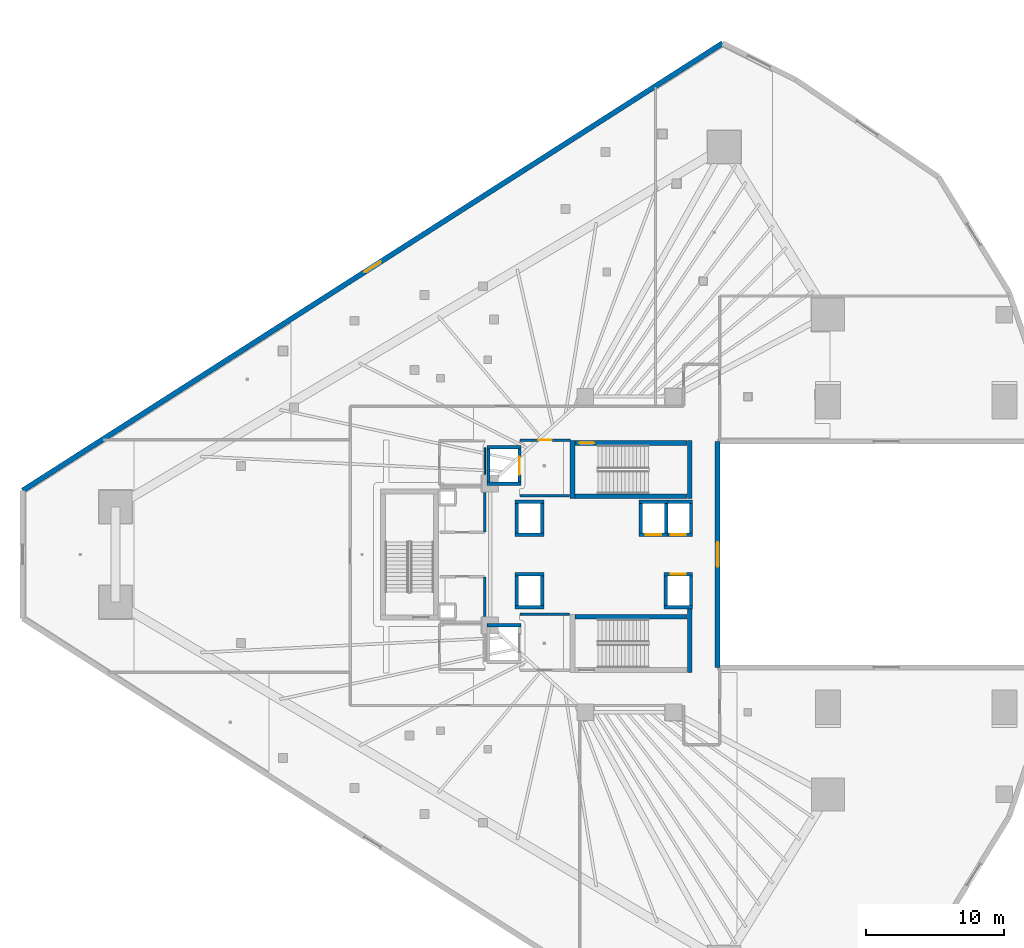
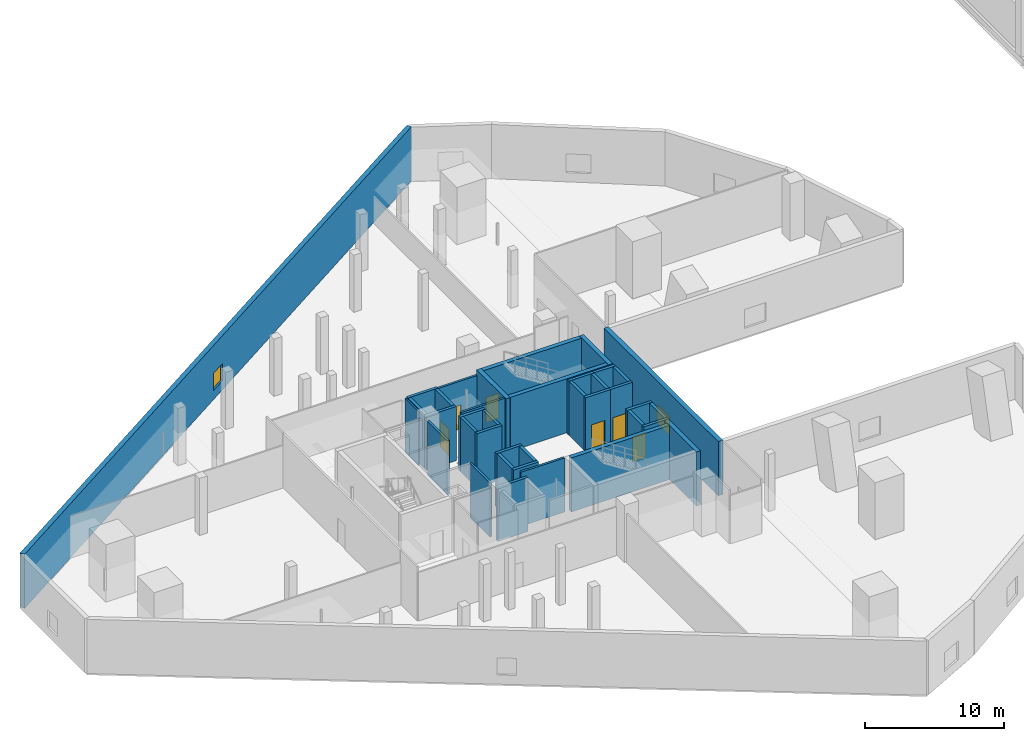
# One storey, part 28 of 47: 38 walls, 6 doors, 2 windows, 8 openings.
"""IFC4 building model written with IfcOpenShell, lengths in metres."""

from ifc_helpers import new_model, si_unit, direction, frame, frame_2d, origin, place, context, subcontext, project, spatial, rectangle, extrude, material, layer, layer_set, type_object, element, fill, save


model = new_model("IFC4")

# Units and contexts
model_context = context("Model", 3, precision=1e-05, world=origin(), true_north=direction((0.0, 1.0)))
body_context = subcontext(model_context, "Body", "Model", "MODEL_VIEW")
ifc_project = project(units=[si_unit("LENGTHUNIT", "METRE"), si_unit("AREAUNIT", "SQUARE_METRE"), si_unit("VOLUMEUNIT", "CUBIC_METRE"), si_unit("PLANEANGLEUNIT", "RADIAN"), si_unit("MASSUNIT", "GRAM", prefix="KILO")], contexts=[model_context])

# Site, building, storey
site_placement = place(None, origin())
site = spatial("IfcSite", under=ifc_project, at=site_placement, CompositionType="ELEMENT")
building_placement = place(site_placement, origin())
building = spatial("IfcBuilding", under=site, at=building_placement, Name="Qorvath Tower", CompositionType="ELEMENT")
storey_placement = place(building_placement, frame((0.0, 0.0, 12.0)))
storey = spatial("IfcBuildingStorey", under=building, at=storey_placement, Name="L02", CompositionType="ELEMENT", Elevation=12.0)

# Wall
ifc_material_1 = material(Name="Gypsum shaftliner on steel studs", Category="steel")
ifc_layer_1 = layer(ifc_material_1, 0.179931640625)
ifc_layer_set_1 = layer_set([ifc_layer_1], Name="FW-LOBBY")
wall_type_1 = type_object("IfcWallType", Name="FW-LOBBY", PredefinedType="PARTITIONING", material=ifc_layer_set_1)
wall_1_placement = place(storey_placement, frame((-28.35498046875, 4.25, 0.0), z_axis=(0.0, 0.0, 1.0), x_axis=(1.0, 0.0, 0.0)))
element("IfcWall", 1, at=wall_1_placement, inside=storey, type_object=wall_type_1, Name="Interior Partition IW-T1-L02-001", PredefinedType="PARTITIONING", context=body_context, shape_type="SweptSolid", body=[
    extrude(rectangle(XDim=3.6220703125, YDim=0.179931640625, at=frame_2d((1.81103515625, 0.0))), origin(), (0.0, 0.0, 1.0), 4.739990234375),
])

# Wall, opening, door
wall_2_placement = place(storey_placement, frame((-24.68408203125, 8.300048828125, 0.0), z_axis=(0.0, 0.0, 1.0), x_axis=(-1.0, 0.0, 0.0)))
wall_2 = element("IfcWall", 2, at=wall_2_placement, inside=storey, type_object=wall_type_1, Name="Interior Partition IW-T1-L02-002", PredefinedType="PARTITIONING", context=body_context, shape_type="SweptSolid", body=[
    extrude(rectangle(XDim=3.6708984375, YDim=0.179931640625, at=frame_2d((1.83544921875, 0.0))), origin(), (0.0, 0.0, 1.0), 4.2529296875),
])
opening_1_placement = place(wall_2_placement, frame((1.33544921875, 0.0, 0.0)))
opening_1 = element("IfcOpeningElement", 3, at=opening_1_placement, cuts=wall_2, Name="Opening D-T1-L02-11", PredefinedType="OPENING", context=body_context, shape_type="SweptSolid", body=[
    extrude(rectangle(XDim=1.0, YDim=2.14990234375, at=frame_2d((0.5, 1.074951171875))), frame((0.0, 0.10009765625, 0.0), z_axis=(0.0, -1.0, 0.0), x_axis=(1.0, 0.0, 0.0)), (0.0, 0.0, 1.0), 0.199951171875),
])
ifc_material_2 = material(Name="Painted galvanised hollow metal", Category="steel")
door_type_1 = type_object("IfcDoorType", Name="FD-60", OperationType="NOTDEFINED", PredefinedType="DOOR", material=ifc_material_2)
door_1_placement = place(opening_1_placement, origin())
door_1 = element("IfcDoor", 4, at=door_1_placement, inside=storey, type_object=door_type_1, Name="Lobby Fire Service Elevator North Door D-T1-L02-11", OperationType="SINGLE_SWING_LEFT", OverallHeight=2.14990234375, OverallWidth=1.0, PredefinedType="DOOR", context=body_context, shape_type="SweptSolid", body=[
    extrude(rectangle(XDim=1.0, YDim=2.14990234375, at=frame_2d((0.5, 1.074951171875))), frame((0.0, 0.02490234375, 0.0), z_axis=(0.0, -1.0, 0.0), x_axis=(1.0, 0.0, 0.0)), (0.0, 0.0, 1.0), 0.050048828125),
])
fill(opening_1, door_1)

# Walls
wall_3_placement = place(storey_placement, frame((-24.73291015625, -4.35009765625, 0.0), z_axis=(0.0, 0.0, 1.0), x_axis=(-1.0, 0.0, 0.0)))
element("IfcWall", 5, at=wall_3_placement, inside=storey, type_object=wall_type_1, Name="Interior Partition IW-T1-L02-004", PredefinedType="PARTITIONING", context=body_context, shape_type="SweptSolid", body=[
    extrude(rectangle(XDim=3.6220703125, YDim=0.179931640625, at=frame_2d((1.81103515625, 0.0))), origin(), (0.0, 0.0, 1.0), 4.739990234375),
])
for number, where, z_axis, x_axis, name in (
    (6, (-30.8798828125, 1.625, 0.0), (0.0, 0.0, 1.0), (0.0, 1.0, 0.0), "Interior Partition IW-T1-L02-014"),
    (7, (-30.8798828125, -4.485107421875, 0.0), (0.0, 0.0, 1.0), (0.0, 1.0, 0.0), "Interior Partition IW-T1-L02-017"),
):
    element("IfcWall", number, at=place(storey_placement, frame(where, z_axis=z_axis, x_axis=x_axis)), inside=storey, type_object=wall_type_1, Name=name, PredefinedType="PARTITIONING", context=body_context, shape_type="SweptSolid", body=[
        extrude(rectangle(XDim=2.860107421875, YDim=0.179931640625, at=frame_2d((1.43017578125, 0.0))), origin(), (0.0, 0.0, 1.0), 4.739990234375),
    ])
ifc_material_3 = material(Name="Moisture-resistant cement board on metal studs", Category="gypsum")
ifc_layer_2 = layer(ifc_material_3, 0.110107421875)
ifc_layer_set_2 = layer_set([ifc_layer_2], Name="IW-WC-110")
wall_type_2 = type_object("IfcWallType", Name="IW-WC-110", PredefinedType="PARTITIONING", material=ifc_layer_set_2)
wall_4_placement = place(storey_placement, frame((-30.8798828125, 5.81494140625, 0.0), z_axis=(0.0, 0.0, 1.0), x_axis=(0.0, 1.0, 0.0)))
element("IfcWall", 8, at=wall_4_placement, inside=storey, type_object=wall_type_2, Name="Interior Partition IW-T1-L02-007", PredefinedType="PARTITIONING", context=body_context, shape_type="SweptSolid", body=[
    extrude(rectangle(XDim=1.927978515625, YDim=0.110107421875, at=frame_2d((0.9638671875, 0.0))), origin(), (0.0, 0.0, 1.0), 4.739990234375),
])
ifc_material_4 = material(Name="Concrete C60/75", Category="concrete")
ifc_layer_3 = layer(ifc_material_4, 0.260009765625)
ifc_layer_set_3 = layer_set([ifc_layer_3], Name="SW-SHAFT")
wall_type_3 = type_object("IfcWallType", Name="SW-SHAFT", PredefinedType="SHEAR", material=ifc_layer_set_3)
for number, where, z_axis, x_axis, name in (
    (9, (-28.260009765625, 5.1298828125, 0.0), (0.0, 0.0, 1.0), (-1.0, 0.0, 0.0), "Hoistway Wall FSAE-1 L02 S"),
    (10, (-30.739990234375, 7.77001953125, 0.0), (0.0, 0.0, 1.0), (1.0, 0.0, 0.0), "Hoistway Wall FSAE-1 L02 N"),
):
    element("IfcWall", number, at=place(storey_placement, frame(where, z_axis=z_axis, x_axis=x_axis)), inside=storey, type_object=wall_type_3, Name=name, PredefinedType="SHEAR", context=body_context, shape_type="SweptSolid", body=[
        extrude(rectangle(XDim=2.47998046875, YDim=0.239990234375, at=frame_2d((1.239990234375, 0.0))), origin(), (0.0, 0.0, 1.0), 4.739990234375),
    ])
wall_5_placement = place(storey_placement, frame((-30.6201171875, 5.261962890625, 0.0), z_axis=(0.0, 0.0, 1.0), x_axis=(0.0, 1.0, 0.0)))
element("IfcWall", 11, at=wall_5_placement, inside=storey, type_object=wall_type_3, Name="Hoistway Wall FSAE-1 L02 W", PredefinedType="SHEAR", context=body_context, shape_type="SweptSolid", body=[
    extrude(rectangle(XDim=2.3759765625, YDim=0.239990234375, at=frame_2d((1.18798828125, 0.0))), origin(), (0.0, 0.0, 1.0), 4.739990234375),
])

# Wall, opening, door
wall_6_placement = place(storey_placement, frame((-28.3798828125, 7.637939453125, 0.0), z_axis=(0.0, 0.0, 1.0), x_axis=(0.0, -1.0, 0.0)))
wall_6 = element("IfcWall", 12, at=wall_6_placement, inside=storey, type_object=wall_type_3, Name="Hoistway Wall FSAE-1 L02 E", PredefinedType="SHEAR", context=body_context, shape_type="SweptSolid", body=[
    extrude(rectangle(XDim=2.3759765625, YDim=0.239990234375, at=frame_2d((1.18798828125, 0.0))), origin(), (0.0, 0.0, 1.0), 4.739990234375),
])
opening_2_placement = place(wall_6_placement, frame((0.537841796875, 0.0, 0.0)))
opening_2 = element("IfcOpeningElement", 13, at=opening_2_placement, cuts=wall_6, Name="Opening LD-FSAE-1-L02", PredefinedType="OPENING", context=body_context, shape_type="SweptSolid", body=[
    extrude(rectangle(XDim=1.300048828125, YDim=2.300048828125, at=frame_2d((0.64990234375, 1.14990234375))), frame((0.0, 0.1298828125, 0.0), z_axis=(0.0, -1.0, 0.0), x_axis=(1.0, 0.0, 0.0)), (0.0, 0.0, 1.0), 0.260009765625),
])
ifc_material_5 = material(Name="Brushed stainless steel AISI 316", Category="steel")
door_type_2 = type_object("IfcDoorType", Name="LD-02", OperationType="NOTDEFINED", PredefinedType="DOOR", material=ifc_material_5)
door_2_placement = place(opening_2_placement, origin())
door_2 = element("IfcDoor", 14, at=door_2_placement, inside=storey, type_object=door_type_2, Name="Elevator Landing Sliding Door LD-FSAE-1-L02", OperationType="DOUBLE_DOOR_SLIDING", OverallHeight=2.300048828125, OverallWidth=1.300048828125, PredefinedType="DOOR", context=body_context, shape_type="SweptSolid", body=[
    extrude(rectangle(XDim=1.300048828125, YDim=2.300048828125, at=frame_2d((0.64990234375, 1.14990234375))), frame((0.0, 0.02490234375, 0.0), z_axis=(0.0, -1.0, 0.0), x_axis=(1.0, 0.0, 0.0)), (0.0, 0.0, 1.0), 0.050048828125),
])
fill(opening_2, door_2)

# Walls
wall_7_placement = place(storey_placement, frame((-30.739990234375, -5.1298828125, 0.0), z_axis=(0.0, 0.0, 1.0), x_axis=(1.0, 0.0, 0.0)))
element("IfcWall", 15, at=wall_7_placement, inside=storey, type_object=wall_type_3, Name="Hoistway Wall FSAE-2 L02 N", PredefinedType="SHEAR", context=body_context, shape_type="SweptSolid", body=[
    extrude(rectangle(XDim=2.47998046875, YDim=0.239990234375, at=frame_2d((1.239990234375, 0.0))), origin(), (0.0, 0.0, 1.0), 4.739990234375),
])
for number, where, z_axis, x_axis, name in (
    (16, (-26.610107421875, 1.429931640625, 0.0), (0.0, 0.0, 1.0), (-1.0, 0.0, 0.0), "Hoistway Wall PS-1 L02 S"),
    (17, (-28.68994140625, 3.820068359375, 0.0), (0.0, 0.0, 1.0), (1.0, 0.0, 0.0), "Hoistway Wall PS-1 L02 N"),
):
    element("IfcWall", number, at=place(storey_placement, frame(where, z_axis=z_axis, x_axis=x_axis)), inside=storey, type_object=wall_type_3, Name=name, PredefinedType="SHEAR", context=body_context, shape_type="SweptSolid", body=[
        extrude(rectangle(XDim=2.079833984375, YDim=0.239990234375, at=frame_2d((1.0400390625, 0.0))), origin(), (0.0, 0.0, 1.0), 4.739990234375),
    ])
for number, where, z_axis, x_axis, name in (
    (18, (-28.570068359375, 1.56201171875, 0.0), (0.0, 0.0, 1.0), (0.0, 1.0, 0.0), "Hoistway Wall PS-1 L02 W"),
    (19, (-26.72998046875, 3.68798828125, 0.0), (0.0, 0.0, 1.0), (0.0, -1.0, 0.0), "Hoistway Wall PS-1 L02 E"),
):
    element("IfcWall", number, at=place(storey_placement, frame(where, z_axis=z_axis, x_axis=x_axis)), inside=storey, type_object=wall_type_3, Name=name, PredefinedType="SHEAR", context=body_context, shape_type="SweptSolid", body=[
        extrude(rectangle(XDim=2.1259765625, YDim=0.239990234375, at=frame_2d((1.06298828125, 0.0))), origin(), (0.0, 0.0, 1.0), 4.739990234375),
    ])

# Wall, opening, door
wall_8_placement = place(storey_placement, frame((-17.610107421875, 1.429931640625, 0.0), z_axis=(0.0, 0.0, 1.0), x_axis=(-1.0, 0.0, 0.0)))
wall_8 = element("IfcWall", 20, at=wall_8_placement, inside=storey, type_object=wall_type_3, Name="Hoistway Wall PL-1 L02 S", PredefinedType="SHEAR", context=body_context, shape_type="SweptSolid", body=[
    extrude(rectangle(XDim=2.079833984375, YDim=0.239990234375, at=frame_2d((1.0400390625, 0.0))), origin(), (0.0, 0.0, 1.0), 4.739990234375),
])
opening_3_placement = place(wall_8_placement, frame((0.48974609375, 0.0, 0.0)))
opening_3 = element("IfcOpeningElement", 21, at=opening_3_placement, cuts=wall_8, Name="Opening LD-PL-1-L02", PredefinedType="OPENING", context=body_context, shape_type="SweptSolid", body=[
    extrude(rectangle(XDim=1.10009765625, YDim=2.199951171875, at=frame_2d((0.550048828125, 1.10009765625))), frame((0.0, 0.1298828125, 0.0), z_axis=(0.0, -1.0, 0.0), x_axis=(1.0, 0.0, 0.0)), (0.0, 0.0, 1.0), 0.260009765625),
])
ifc_material_6 = material(Name="Brushed stainless steel AISI 316", Category="steel")
door_type_3 = type_object("IfcDoorType", Name="LD-01", OperationType="NOTDEFINED", PredefinedType="DOOR", material=ifc_material_6)
door_3_placement = place(opening_3_placement, origin())
door_3 = element("IfcDoor", 22, at=door_3_placement, inside=storey, type_object=door_type_3, Name="Elevator Landing Sliding Door LD-PL-1-L02", OperationType="DOUBLE_DOOR_SLIDING", OverallHeight=2.199951171875, OverallWidth=1.10009765625, PredefinedType="DOOR", context=body_context, shape_type="SweptSolid", body=[
    extrude(rectangle(XDim=1.10009765625, YDim=2.199951171875, at=frame_2d((0.550048828125, 1.10009765625))), frame((0.0, 0.02490234375, 0.0), z_axis=(0.0, -1.0, 0.0), x_axis=(1.0, 0.0, 0.0)), (0.0, 0.0, 1.0), 0.050048828125),
])
fill(opening_3, door_3)

# Walls
wall_9_placement = place(storey_placement, frame((-19.68994140625, 3.820068359375, 0.0), z_axis=(0.0, 0.0, 1.0), x_axis=(1.0, 0.0, 0.0)))
element("IfcWall", 23, at=wall_9_placement, inside=storey, type_object=wall_type_3, Name="Hoistway Wall PL-1 L02 N", PredefinedType="SHEAR", context=body_context, shape_type="SweptSolid", body=[
    extrude(rectangle(XDim=2.079833984375, YDim=0.239990234375, at=frame_2d((1.0400390625, 0.0))), origin(), (0.0, 0.0, 1.0), 4.739990234375),
])
for number, where, z_axis, x_axis, name in (
    (24, (-19.570068359375, 1.56201171875, 0.0), (0.0, 0.0, 1.0), (0.0, 1.0, 0.0), "Hoistway Wall PL-1 L02 W"),
    (25, (-17.72998046875, 3.68798828125, 0.0), (0.0, 0.0, 1.0), (0.0, -1.0, 0.0), "Hoistway Wall PL-1 L02 E"),
):
    element("IfcWall", number, at=place(storey_placement, frame(where, z_axis=z_axis, x_axis=x_axis)), inside=storey, type_object=wall_type_3, Name=name, PredefinedType="SHEAR", context=body_context, shape_type="SweptSolid", body=[
        extrude(rectangle(XDim=2.1259765625, YDim=0.239990234375, at=frame_2d((1.06298828125, 0.0))), origin(), (0.0, 0.0, 1.0), 4.739990234375),
    ])

# Wall, opening, door
wall_10_placement = place(storey_placement, frame((-15.81005859375, 1.429931640625, 0.0), z_axis=(0.0, 0.0, 1.0), x_axis=(-1.0, 0.0, 0.0)))
wall_10 = element("IfcWall", 26, at=wall_10_placement, inside=storey, type_object=wall_type_3, Name="Hoistway Wall PL-3 L02 S", PredefinedType="SHEAR", context=body_context, shape_type="SweptSolid", body=[
    extrude(rectangle(XDim=1.800048828125, YDim=0.239990234375, at=frame_2d((0.89990234375, 0.0))), origin(), (0.0, 0.0, 1.0), 4.739990234375),
])
opening_4_placement = place(wall_10_placement, frame((0.489990234375, 0.0, 0.0)))
opening_4 = element("IfcOpeningElement", 27, at=opening_4_placement, cuts=wall_10, Name="Opening LD-PL-3-L02", PredefinedType="OPENING", context=body_context, shape_type="SweptSolid", body=[
    extrude(rectangle(XDim=1.10009765625, YDim=2.199951171875, at=frame_2d((0.550048828125, 1.10009765625))), frame((0.0, 0.1298828125, 0.0), z_axis=(0.0, -1.0, 0.0), x_axis=(1.0, 0.0, 0.0)), (0.0, 0.0, 1.0), 0.260009765625),
])
door_4_placement = place(opening_4_placement, origin())
door_4 = element("IfcDoor", 28, at=door_4_placement, inside=storey, type_object=door_type_3, Name="Elevator Landing Sliding Door LD-PL-3-L02", OperationType="DOUBLE_DOOR_SLIDING", OverallHeight=2.199951171875, OverallWidth=1.10009765625, PredefinedType="DOOR", context=body_context, shape_type="SweptSolid", body=[
    extrude(rectangle(XDim=1.10009765625, YDim=2.199951171875, at=frame_2d((0.550048828125, 1.10009765625))), frame((0.0, 0.02490234375, 0.0), z_axis=(0.0, -1.0, 0.0), x_axis=(1.0, 0.0, 0.0)), (0.0, 0.0, 1.0), 0.050048828125),
])
fill(opening_4, door_4)

# Walls
wall_11_placement = place(storey_placement, frame((-17.610107421875, 3.820068359375, 0.0), z_axis=(0.0, 0.0, 1.0), x_axis=(1.0, 0.0, 0.0)))
element("IfcWall", 29, at=wall_11_placement, inside=storey, type_object=wall_type_3, Name="Hoistway Wall PL-3 L02 N", PredefinedType="SHEAR", context=body_context, shape_type="SweptSolid", body=[
    extrude(rectangle(XDim=1.800048828125, YDim=0.239990234375, at=frame_2d((0.89990234375, 0.0))), origin(), (0.0, 0.0, 1.0), 4.739990234375),
])
wall_12_placement = place(storey_placement, frame((-15.929931640625, 3.68798828125, 0.0), z_axis=(0.0, 0.0, 1.0), x_axis=(0.0, -1.0, 0.0)))
element("IfcWall", 30, at=wall_12_placement, inside=storey, type_object=wall_type_3, Name="Hoistway Wall PL-3 L02 E", PredefinedType="SHEAR", context=body_context, shape_type="SweptSolid", body=[
    extrude(rectangle(XDim=2.1259765625, YDim=0.239990234375, at=frame_2d((1.06298828125, 0.0))), origin(), (0.0, 0.0, 1.0), 4.739990234375),
])
for number, where, z_axis, x_axis, name in (
    (31, (-26.610107421875, -3.820068359375, 0.0), (0.0, 0.0, 1.0), (-1.0, 0.0, 0.0), "Hoistway Wall PS-2 L02 S"),
    (32, (-28.68994140625, -1.429931640625, 0.0), (0.0, 0.0, 1.0), (1.0, 0.0, 0.0), "Hoistway Wall PS-2 L02 N"),
):
    element("IfcWall", number, at=place(storey_placement, frame(where, z_axis=z_axis, x_axis=x_axis)), inside=storey, type_object=wall_type_3, Name=name, PredefinedType="SHEAR", context=body_context, shape_type="SweptSolid", body=[
        extrude(rectangle(XDim=2.079833984375, YDim=0.239990234375, at=frame_2d((1.0400390625, 0.0))), origin(), (0.0, 0.0, 1.0), 4.739990234375),
    ])
for number, where, z_axis, x_axis, name in (
    (33, (-28.570068359375, -3.68798828125, 0.0), (0.0, 0.0, 1.0), (0.0, 1.0, 0.0), "Hoistway Wall PS-2 L02 W"),
    (34, (-26.72998046875, -1.56201171875, 0.0), (0.0, 0.0, 1.0), (0.0, -1.0, 0.0), "Hoistway Wall PS-2 L02 E"),
):
    element("IfcWall", number, at=place(storey_placement, frame(where, z_axis=z_axis, x_axis=x_axis)), inside=storey, type_object=wall_type_3, Name=name, PredefinedType="SHEAR", context=body_context, shape_type="SweptSolid", body=[
        extrude(rectangle(XDim=2.1259765625, YDim=0.239990234375, at=frame_2d((1.06298828125, 0.0))), origin(), (0.0, 0.0, 1.0), 4.739990234375),
    ])
wall_13_placement = place(storey_placement, frame((-15.81005859375, -3.820068359375, 0.0), z_axis=(0.0, 0.0, 1.0), x_axis=(-1.0, 0.0, 0.0)))
element("IfcWall", 35, at=wall_13_placement, inside=storey, type_object=wall_type_3, Name="Hoistway Wall PL-2 L02 S", PredefinedType="SHEAR", context=body_context, shape_type="SweptSolid", body=[
    extrude(rectangle(XDim=2.079833984375, YDim=0.239990234375, at=frame_2d((1.0400390625, 0.0))), origin(), (0.0, 0.0, 1.0), 4.739990234375),
])

# Wall, opening, door
wall_14_placement = place(storey_placement, frame((-17.889892578125, -1.429931640625, 0.0), z_axis=(0.0, 0.0, 1.0), x_axis=(1.0, 0.0, 0.0)))
wall_14 = element("IfcWall", 36, at=wall_14_placement, inside=storey, type_object=wall_type_3, Name="Hoistway Wall PL-2 L02 N", PredefinedType="SHEAR", context=body_context, shape_type="SweptSolid", body=[
    extrude(rectangle(XDim=2.079833984375, YDim=0.239990234375, at=frame_2d((1.0400390625, 0.0))), origin(), (0.0, 0.0, 1.0), 4.739990234375),
])
opening_5_placement = place(wall_14_placement, frame((0.48974609375, 0.0, 0.0)))
opening_5 = element("IfcOpeningElement", 37, at=opening_5_placement, cuts=wall_14, Name="Opening LD-PL-2-L02", PredefinedType="OPENING", context=body_context, shape_type="SweptSolid", body=[
    extrude(rectangle(XDim=1.10009765625, YDim=2.199951171875, at=frame_2d((0.550048828125, 1.10009765625))), frame((0.0, 0.1298828125, 0.0), z_axis=(0.0, -1.0, 0.0), x_axis=(1.0, 0.0, 0.0)), (0.0, 0.0, 1.0), 0.260009765625),
])
door_5_placement = place(opening_5_placement, origin())
door_5 = element("IfcDoor", 38, at=door_5_placement, inside=storey, type_object=door_type_3, Name="Elevator Landing Sliding Door LD-PL-2-L02", OperationType="DOUBLE_DOOR_SLIDING", OverallHeight=2.199951171875, OverallWidth=1.10009765625, PredefinedType="DOOR", context=body_context, shape_type="SweptSolid", body=[
    extrude(rectangle(XDim=1.10009765625, YDim=2.199951171875, at=frame_2d((0.550048828125, 1.10009765625))), frame((0.0, 0.02490234375, 0.0), z_axis=(0.0, -1.0, 0.0), x_axis=(1.0, 0.0, 0.0)), (0.0, 0.0, 1.0), 0.050048828125),
])
fill(opening_5, door_5)

# Walls
for number, where, z_axis, x_axis, name in (
    (39, (-17.77001953125, -3.68798828125, 0.0), (0.0, 0.0, 1.0), (0.0, 1.0, 0.0), "Hoistway Wall PL-2 L02 W"),
    (40, (-15.929931640625, -1.56201171875, 0.0), (0.0, 0.0, 1.0), (0.0, -1.0, 0.0), "Hoistway Wall PL-2 L02 E"),
):
    element("IfcWall", number, at=place(storey_placement, frame(where, z_axis=z_axis, x_axis=x_axis)), inside=storey, type_object=wall_type_3, Name=name, PredefinedType="SHEAR", context=body_context, shape_type="SweptSolid", body=[
        extrude(rectangle(XDim=2.1259765625, YDim=0.239990234375, at=frame_2d((1.06298828125, 0.0))), origin(), (0.0, 0.0, 1.0), 4.739990234375),
    ])
ifc_material_7 = material(Name="Concrete C60/75", Category="concrete")
ifc_layer_4 = layer(ifc_material_7, 0.35009765625)
ifc_layer_set_4 = layer_set([ifc_layer_4], Name="SW-STAIR")
wall_type_4 = type_object("IfcWallType", Name="SW-STAIR", PredefinedType="SHEAR", material=ifc_layer_set_4)
for number, where, z_axis, x_axis, name in (
    (41, (-24.52490234375, 8.260009765625, 0.0), (0.0, 0.0, 1.0), (0.0, -1.0, 0.0), "Stair TS1 Shear Wall L02 NEAR"),
    (42, (-16.02490234375, 4.050048828125, 0.0), (0.0, 0.0, 1.0), (0.0, 1.0, 0.0), "Stair TS1 Shear Wall L02 FAR"),
):
    element("IfcWall", number, at=place(storey_placement, frame(where, z_axis=z_axis, x_axis=x_axis)), inside=storey, type_object=wall_type_4, Name=name, PredefinedType="SHEAR", context=body_context, shape_type="SweptSolid", body=[
        extrude(rectangle(XDim=4.2099609375, YDim=0.35009765625, at=frame_2d((2.10498046875, 0.0))), origin(), (0.0, 0.0, 1.0), 4.739990234375),
    ])
wall_15_placement = place(storey_placement, frame((-24.3349609375, 4.22509765625, 0.0), z_axis=(0.0, 0.0, 1.0), x_axis=(1.0, 0.0, 0.0)))
element("IfcWall", 43, at=wall_15_placement, inside=storey, type_object=wall_type_4, Name="Stair TS1 Shear Wall L02 LEFT", PredefinedType="SHEAR", context=body_context, shape_type="SweptSolid", body=[
    extrude(rectangle(XDim=8.119873046875, YDim=0.35009765625, at=frame_2d((4.06005859375, 0.0))), origin(), (0.0, 0.0, 1.0), 4.739990234375),
])

# Wall, opening, door
wall_16_placement = place(storey_placement, frame((-16.215087890625, 8.0849609375, 0.0), z_axis=(0.0, 0.0, 1.0), x_axis=(-1.0, 0.0, 0.0)))
wall_16 = element("IfcWall", 44, at=wall_16_placement, inside=storey, type_object=wall_type_4, Name="Stair TS1 Shear Wall L02 RIGHT", PredefinedType="SHEAR", context=body_context, shape_type="SweptSolid", body=[
    extrude(rectangle(XDim=8.119873046875, YDim=0.35009765625, at=frame_2d((4.06005859375, 0.0))), origin(), (0.0, 0.0, 1.0), 4.739990234375),
])
opening_6_placement = place(wall_16_placement, frame((6.739990234375, 0.0, 0.0)))
opening_6 = element("IfcOpeningElement", 45, at=opening_6_placement, cuts=wall_16, Name="Opening D-TS1-L02", PredefinedType="OPENING", context=body_context, shape_type="SweptSolid", body=[
    extrude(rectangle(XDim=1.10009765625, YDim=2.199951171875, at=frame_2d((0.550048828125, 1.10009765625))), frame((0.0, 0.18505859375, 0.0), z_axis=(0.0, -1.0, 0.0), x_axis=(1.0, 0.0, 0.0)), (0.0, 0.0, 1.0), 0.3701171875),
])
ifc_material_8 = material(Name="Painted galvanised hollow metal", Category="steel")
door_type_4 = type_object("IfcDoorType", Name="FD-90", OperationType="NOTDEFINED", PredefinedType="DOOR", material=ifc_material_8)
door_6_placement = place(opening_6_placement, origin())
door_6 = element("IfcDoor", 46, at=door_6_placement, inside=storey, type_object=door_type_4, Name="Stair TS1 Fire Door L02", OperationType="SINGLE_SWING_LEFT", OverallHeight=2.199951171875, OverallWidth=1.10009765625, PredefinedType="DOOR", context=body_context, shape_type="SweptSolid", body=[
    extrude(rectangle(XDim=1.10009765625, YDim=2.199951171875, at=frame_2d((0.550048828125, 1.10009765625))), frame((0.0, 0.02490234375, 0.0), z_axis=(0.0, -1.0, 0.0), x_axis=(1.0, 0.0, 0.0)), (0.0, 0.0, 1.0), 0.050048828125),
])
fill(opening_6, door_6)

# Walls
wall_17_placement = place(storey_placement, frame((-16.02490234375, -8.550048828125, 0.0), z_axis=(0.0, 0.0, 1.0), x_axis=(0.0, 1.0, 0.0)))
element("IfcWall", 47, at=wall_17_placement, inside=storey, type_object=wall_type_4, Name="Stair TS2 Shear Wall L02 FAR", PredefinedType="SHEAR", context=body_context, shape_type="SweptSolid", body=[
    extrude(rectangle(XDim=4.610107421875, YDim=0.35009765625, at=frame_2d((2.30517578125, 0.0))), origin(), (0.0, 0.0, 1.0), 4.739990234375),
])
wall_18_placement = place(storey_placement, frame((-16.215087890625, -4.514892578125, 0.0), z_axis=(0.0, 0.0, 1.0), x_axis=(-1.0, 0.0, 0.0)))
element("IfcWall", 48, at=wall_18_placement, inside=storey, type_object=wall_type_4, Name="Stair TS2 Shear Wall L02 RIGHT", PredefinedType="SHEAR", context=body_context, shape_type="SweptSolid", body=[
    extrude(rectangle(XDim=8.119873046875, YDim=0.35009765625, at=frame_2d((4.06005859375, 0.0))), origin(), (0.0, 0.0, 1.0), 4.739990234375),
])

# Wall, opening, window
ifc_material_9 = material(Name="Precast concrete C50/60", Category="concrete")
ifc_layer_5 = layer(ifc_material_9, 0.3798828125)
ifc_layer_set_5 = layer_set([ifc_layer_5], Name="WL-EW-POD-380")
wall_type_5 = type_object("IfcWallType", Name="WL-EW-POD-380", PredefinedType="SOLIDWALL", material=ifc_layer_set_5)
wall_19_placement = place(storey_placement, frame((-14.0, 8.199951171875, 0.0), z_axis=(0.0, 0.0, 1.0), x_axis=(0.0, -1.0, 0.0)))
wall_19 = element("IfcWall", 49, at=wall_19_placement, inside=storey, type_object=wall_type_5, Name="Tower Podium Precast Facade Wall L02-2.1", PredefinedType="SOLIDWALL", context=body_context, shape_type="SweptSolid", body=[
    extrude(rectangle(XDim=16.39990234375, YDim=0.3798828125, at=frame_2d((8.199951171875, 0.0))), origin(), (0.0, 0.0, 1.0), 4.739990234375),
])
opening_7_placement = place(wall_19_placement, frame((7.300048828125, 0.0, 0.800048828125)))
opening_7 = element("IfcOpeningElement", 50, at=opening_7_placement, cuts=wall_19, Name="Opening WN-L02-016", PredefinedType="OPENING", context=body_context, shape_type="SweptSolid", body=[
    extrude(rectangle(XDim=1.800048828125, YDim=1.64990234375, at=frame_2d((0.89990234375, 0.824951171875))), frame((0.0, 0.199951171875, 0.0), z_axis=(0.0, -1.0, 0.0), x_axis=(1.0, 0.0, 0.0)), (0.0, 0.0, 1.0), 0.39990234375),
])
ifc_material_10 = material(Name="Thermally broken aluminium and triple low-E glass", Category="aluminium")
window_type_1 = type_object("IfcWindowType", Name="WN-1", PartitioningType="SINGLE_PANEL", PredefinedType="WINDOW", material=ifc_material_10)
window_1_placement = place(opening_7_placement, origin())
window_1 = element("IfcWindow", 51, at=window_1_placement, inside=storey, type_object=window_type_1, Name="Podium Punched Window L02-016", OverallHeight=1.64990234375, OverallWidth=1.800048828125, PartitioningType="SINGLE_PANEL", PredefinedType="WINDOW", context=body_context, shape_type="SweptSolid", body=[
    extrude(rectangle(XDim=1.800048828125, YDim=1.64990234375, at=frame_2d((0.89990234375, 0.824951171875))), frame((0.0, 0.030029296875, 0.0), z_axis=(0.0, -1.0, 0.0), x_axis=(1.0, 0.0, 0.0)), (0.0, 0.0, 1.0), 0.06005859375),
])
fill(opening_7, window_1)

wall_20_placement = place(storey_placement, frame((-64.419189453125, 4.63671875, 0.0), z_axis=(0.0, 0.0, 1.0), x_axis=(0.842602364841, 0.538536214905, 0.0)))
wall_20 = element("IfcWall", 52, at=wall_20_placement, inside=storey, type_object=wall_type_5, Name="Tower Podium Precast Facade Wall L02-9.1", PredefinedType="SOLIDWALL", context=body_context, shape_type="SweptSolid", body=[
    extrude(rectangle(XDim=60.270263671875, YDim=0.3798828125, at=frame_2d((30.13525390625, 0.0))), origin(), (0.0, 0.0, 1.0), 4.739990234375),
])
opening_8_placement = place(wall_20_placement, frame((29.43505859375, 0.0, 0.800048828125)))
opening_8 = element("IfcOpeningElement", 53, at=opening_8_placement, cuts=wall_20, Name="Opening WN-L02-022", PredefinedType="OPENING", context=body_context, shape_type="SweptSolid", body=[
    extrude(rectangle(XDim=1.39990234375, YDim=1.5, at=frame_2d((0.699951171875, 0.75))), frame((0.0, 0.199951171875, 0.0), z_axis=(0.0, -1.0, 0.0), x_axis=(1.0, 0.0, 0.0)), (0.0, 0.0, 1.0), 0.39990234375),
])
ifc_material_11 = material(Name="Thermally broken aluminium and triple low-E glass", Category="aluminium")
window_type_2 = type_object("IfcWindowType", Name="WN-3", PartitioningType="SINGLE_PANEL", PredefinedType="WINDOW", material=ifc_material_11)
window_2_placement = place(opening_8_placement, origin())
window_2 = element("IfcWindow", 54, at=window_2_placement, inside=storey, type_object=window_type_2, Name="Podium Punched Window L02-022", OverallHeight=1.5, OverallWidth=1.39990234375, PartitioningType="SINGLE_PANEL", PredefinedType="WINDOW", context=body_context, shape_type="SweptSolid", body=[
    extrude(rectangle(XDim=1.39990234375, YDim=1.5, at=frame_2d((0.699951171875, 0.75))), frame((0.0, 0.030029296875, 0.0), z_axis=(0.0, -1.0, 0.0), x_axis=(1.0, 0.0, 0.0)), (0.0, 0.0, 1.0), 0.06005859375),
])
fill(opening_8, window_2)

save(model, "model.ifc")
